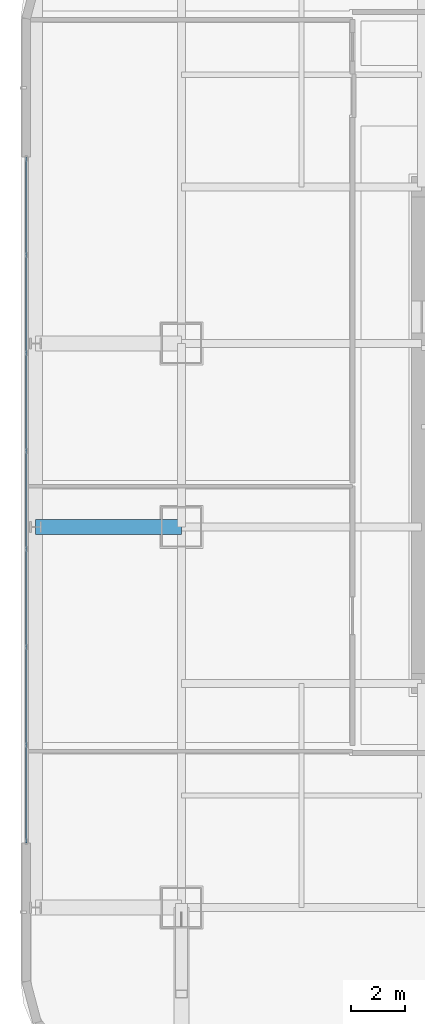
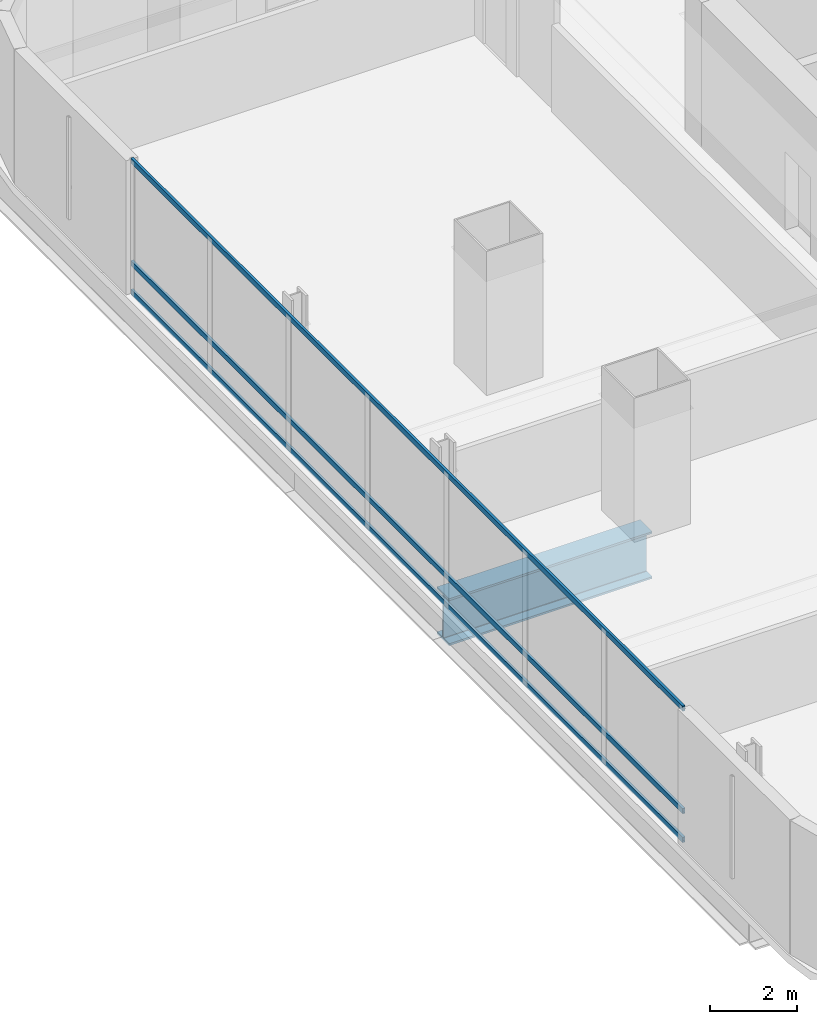
# One storey, part 9 of 45: 3 members, 1 beam, 1 element without a shape of its own.
"""IFC4 building model written with IfcOpenShell, lengths in metres."""

from ifc_helpers import new_model, si_unit, direction, frame, origin, origin_2d, place, context, subcontext, project, spatial, hollow_rectangle, i_section, extrude, material, material_profile, profile_set, type_object, element, aggregate, save


model = new_model("IFC4")

# Units and contexts
model_context = context("Model", 3, precision=1e-05, world=origin(), true_north=direction((0.0, 1.0)))
body_context = subcontext(model_context, "Body", "Model", "MODEL_VIEW")
ifc_project = project(units=[si_unit("LENGTHUNIT", "METRE"), si_unit("AREAUNIT", "SQUARE_METRE"), si_unit("VOLUMEUNIT", "CUBIC_METRE"), si_unit("PLANEANGLEUNIT", "RADIAN"), si_unit("MASSUNIT", "GRAM", prefix="KILO")], contexts=[model_context])

# Site, building, storey
site_placement = place(None, origin())
site = spatial("IfcSite", under=ifc_project, at=site_placement, CompositionType="ELEMENT")
building_placement = place(site_placement, origin())
building = spatial("IfcBuilding", under=site, at=building_placement, Name="Punatoya Terracotta Tower", CompositionType="ELEMENT")
storey_placement = place(building_placement, frame((0.0, 0.0, 56.550048828125)))
storey = spatial("IfcBuildingStorey", under=building, at=storey_placement, Name="L12", CompositionType="ELEMENT", Elevation=56.550048828125)

# Beam
ifc_material_1 = material(Name="Steel S460", Category="steel")
ifc_material_profile_1 = material_profile(ifc_material_1, i_section(OverallWidth=0.56005859375, OverallDepth=1.320068359375, WebThickness=0.035888671875, FlangeThickness=0.054931640625, FilletRadius=0.01806640625, at=origin_2d()))
ifc_profile_set_1 = profile_set([ifc_material_profile_1], Name="Steel S460")
beam_type = type_object("IfcBeamType", Name="BM-TG-BLK", PredefinedType="BEAM", material=ifc_profile_set_1)
beam_placement = place(storey_placement, frame((-24.5, -3.39990234375, -0.900146484375), z_axis=(1.0, 0.0, 0.0), x_axis=(0.0, 1.0, 0.0)))
element("IfcBeam", 1, at=beam_placement, inside=storey, type_object=beam_type, Name="BM-L12-CANT-W2", PredefinedType="BEAM", context=body_context, shape_type="SweptSolid", body=[
    extrude(i_section(OverallWidth=0.56005859375, OverallDepth=1.320068359375, WebThickness=0.035888671875, FlangeThickness=0.054931640625, FilletRadius=0.01806640625, at=origin_2d()), origin(), (0.0, 0.0, 1.0), 5.39990234375),
])

# Curtain wall, members
ifc_material_2 = material(Name="Aluminium 6063-T6 + Double Low-E Glass", Category="aluminium")
curtain_wall_type = type_object("IfcCurtainWallType", Name="CW-M1", PredefinedType="NOTDEFINED", material=ifc_material_2)
curtain_wall_placement = place(storey_placement, origin())
curtain_wall = element("IfcCurtainWall", 2, at=curtain_wall_placement, inside=storey, type_object=curtain_wall_type, Name="L12 Curtain Wall CW-L12-W13-1", PredefinedType="NOTDEFINED")
ifc_material_3 = material(Name="Aluminium 6063-T6", Category="aluminium")
ifc_material_profile_2 = material_profile(ifc_material_3, hollow_rectangle(XDim=0.068115234375, YDim=0.14990234375, WallThickness=0.00390625, at=origin_2d()))
ifc_profile_set_2 = profile_set([ifc_material_profile_2], Name="Aluminium 6063-T6")
member_type = type_object("IfcMemberType", Name="CW-TRN-TYP", PredefinedType="USERDEFINED", material=ifc_profile_set_2)
member_1_placement = place(storey_placement, frame((-24.85009765625, 10.300048828125, 0.0400390625), z_axis=(0.0, -1.0, 0.0), x_axis=(1.0, 0.0, 0.0)))
member_1 = element("IfcMember", 3, at=member_1_placement, type_object=member_type, Name="CW-L12-W13-1 Transom 1", ObjectType="TRANSOM", PredefinedType="USERDEFINED", context=body_context, shape_type="SweptSolid", body=[
    extrude(hollow_rectangle(XDim=0.068115234375, YDim=0.14990234375, WallThickness=0.00390625, at=origin_2d()), origin(), (0.0, 0.0, 1.0), 25.400146484375),
])
member_2_placement = place(storey_placement, frame((-24.85009765625, 10.300048828125, 0.849853515625), z_axis=(0.0, -1.0, 0.0), x_axis=(1.0, 0.0, 0.0)))
member_2 = element("IfcMember", 4, at=member_2_placement, type_object=member_type, Name="CW-L12-W13-1 Transom 2", ObjectType="TRANSOM", PredefinedType="USERDEFINED", context=body_context, shape_type="SweptSolid", body=[
    extrude(hollow_rectangle(XDim=0.068115234375, YDim=0.14990234375, WallThickness=0.00390625, at=origin_2d()), origin(), (0.0, 0.0, 1.0), 25.400146484375),
])
member_3_placement = place(storey_placement, frame((-24.85009765625, 10.300048828125, 3.72998046875), z_axis=(0.0, -1.0, 0.0), x_axis=(1.0, 0.0, 0.0)))
member_3 = element("IfcMember", 5, at=member_3_placement, type_object=member_type, Name="CW-L12-W13-1 Transom 3", ObjectType="TRANSOM", PredefinedType="USERDEFINED", context=body_context, shape_type="SweptSolid", body=[
    extrude(hollow_rectangle(XDim=0.068115234375, YDim=0.14990234375, WallThickness=0.00390625, at=origin_2d()), origin(), (0.0, 0.0, 1.0), 25.400146484375),
])
aggregate(curtain_wall, [member_1, member_2, member_3])

save(model, "model.ifc")
